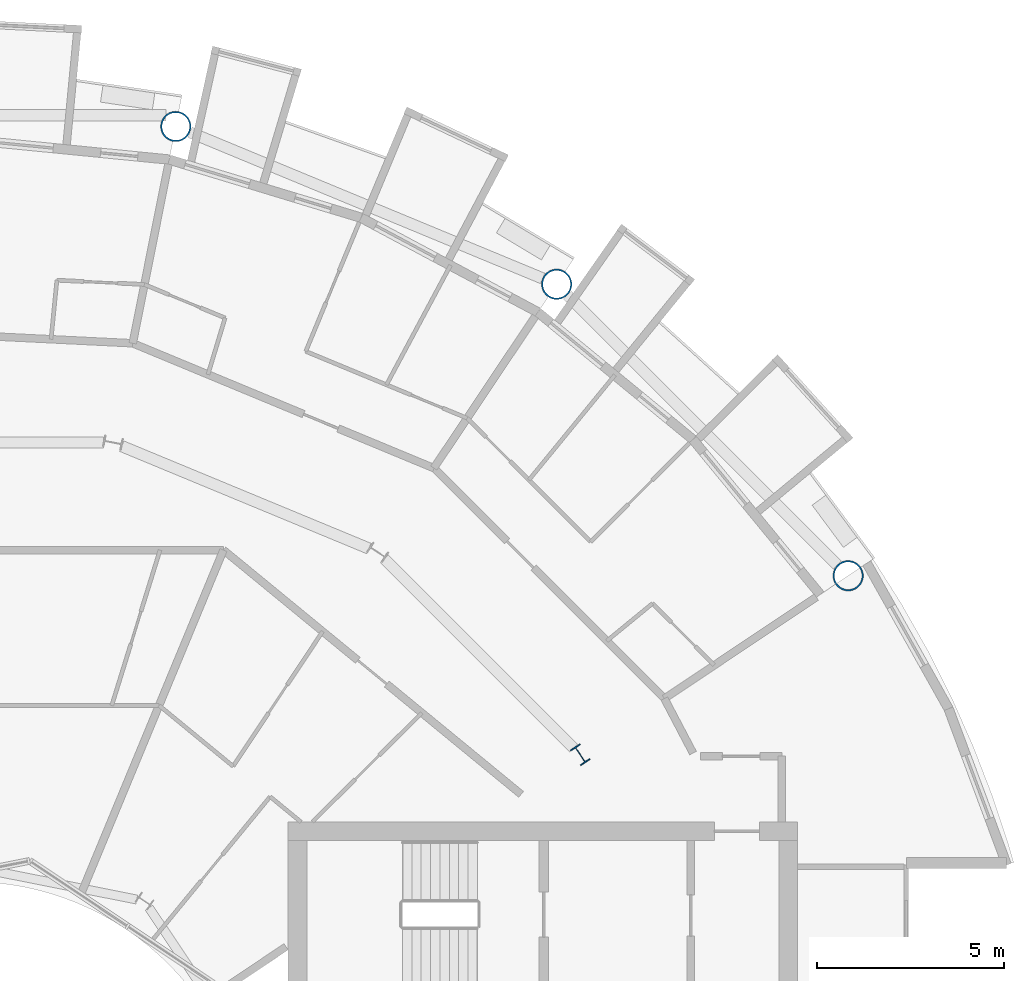
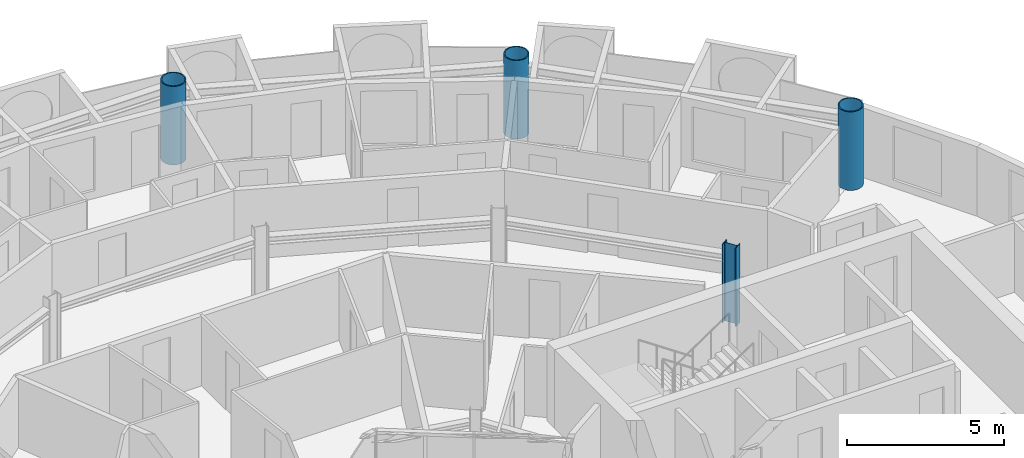
# One storey, part 4 of 28: 4 columns.
"""IFC4 building model written with IfcOpenShell, lengths in metres."""

from ifc_helpers import new_model, si_unit, direction, frame, origin, origin_2d, place, context, subcontext, project, spatial, hollow_circle, i_section, extrude, material, material_profile, profile_set, type_object, element, save


model = new_model("IFC4")

# Units and contexts
model_context = context("Model", 3, precision=1e-05, world=origin(), true_north=direction((0.0, 1.0)))
body_context = subcontext(model_context, "Body", "Model", "MODEL_VIEW")
ifc_project = project(units=[si_unit("LENGTHUNIT", "METRE"), si_unit("AREAUNIT", "SQUARE_METRE"), si_unit("VOLUMEUNIT", "CUBIC_METRE"), si_unit("PLANEANGLEUNIT", "RADIAN"), si_unit("MASSUNIT", "GRAM", prefix="KILO")], contexts=[model_context])

# Site, building, storey
site_placement = place(None, origin())
site = spatial("IfcSite", under=ifc_project, at=site_placement, CompositionType="ELEMENT")
building_placement = place(site_placement, origin())
building = spatial("IfcBuilding", under=site, at=building_placement, Name="Maasbend Ring Residences", CompositionType="ELEMENT")
storey_placement = place(building_placement, frame((0.0, 0.0, 173.800048828125)))
storey = spatial("IfcBuildingStorey", under=building, at=storey_placement, Name="L50", CompositionType="ELEMENT", Elevation=173.800048828125)

# Columns
ifc_material_1 = material(Name="Composite concrete-filled steel tube S460NH / C80/95", Category="concrete")
ifc_material_profile_1 = material_profile(ifc_material_1, hollow_circle(Radius=0.406494140625, WallThickness=0.0400390625, at=origin_2d()), Name="Composite tube column CHS 813x40")
ifc_profile_set_1 = profile_set([ifc_material_profile_1], Name="Composite concrete-filled steel tube S460NH / C80/95")
column_type_1 = type_object("IfcColumnType", Name="Composite tube column CHS 813x40", PredefinedType="COLUMN", material=ifc_profile_set_1)
for number, where, z_axis, x_axis, name in (
    (1, (23.447509765625, 15.6669921875, 0.0), (0.0, 0.0, 1.0), (1.0, 0.0, 0.0), "Outer column R2"),
    (2, (15.6669921875, 23.447509765625, 0.0), (0.0, 0.0, 1.0), (1.0, 0.0, 0.0), "Outer column R3"),
    (3, (5.50146484375, 27.658203125, 0.0), (0.0, 0.0, 1.0), (1.0, 0.0, 0.0), "Outer column R4"),
):
    element("IfcColumn", number, at=place(storey_placement, frame(where, z_axis=z_axis, x_axis=x_axis)), inside=storey, type_object=column_type_1, Name=name, PredefinedType="COLUMN", context=body_context, shape_type="SweptSolid", body=[
        extrude(hollow_circle(Radius=0.406494140625, WallThickness=0.0400390625, at=origin_2d()), origin(), (0.0, 0.0, 1.0), 3.050048828125),
    ])
ifc_material_2 = material(Name="Steel S355J2", Category="steel")
ifc_material_profile_2 = material_profile(ifc_material_2, i_section(OverallWidth=0.300048828125, OverallDepth=0.5, WebThickness=0.014404296875, FlangeThickness=0.028076171875, FilletRadius=0.027099609375, at=origin_2d()), Name="HEB 500")
ifc_profile_set_2 = profile_set([ifc_material_profile_2], Name="Steel S355J2")
column_type_2 = type_object("IfcColumnType", Name="Steel column HEB 500", PredefinedType="COLUMN", material=ifc_profile_set_2)
column_placement = place(storey_placement, frame((16.296875, 10.88916015625, 0.0), z_axis=(0.0, 0.0, 1.0), x_axis=(0.831469612303, 0.55557023302, 0.0)))
element("IfcColumn", 4, at=column_placement, inside=storey, type_object=column_type_2, Name="Corridor ring column R2", PredefinedType="COLUMN", context=body_context, shape_type="SweptSolid", body=[
    extrude(i_section(OverallWidth=0.300048828125, OverallDepth=0.5, WebThickness=0.014404296875, FlangeThickness=0.028076171875, FilletRadius=0.027099609375, at=origin_2d()), origin(), (0.0, 0.0, 1.0), 3.050048828125),
])

save(model, "model.ifc")
